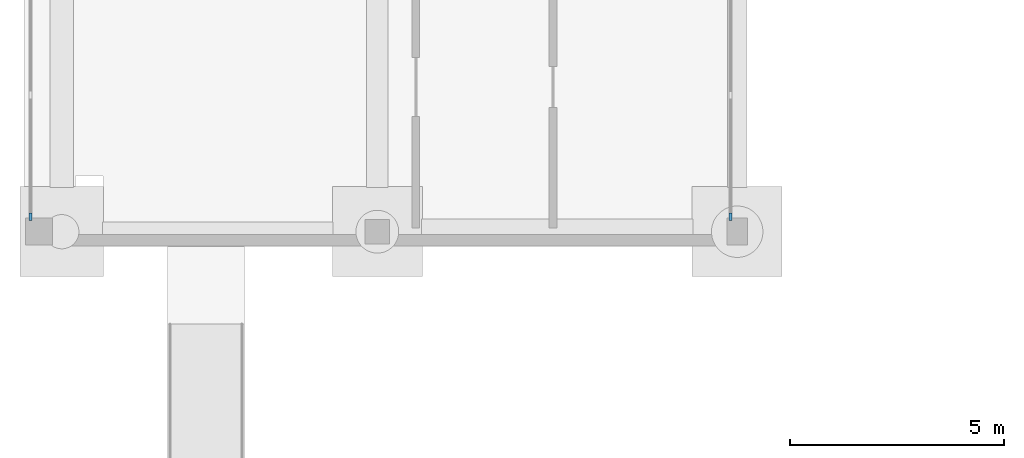
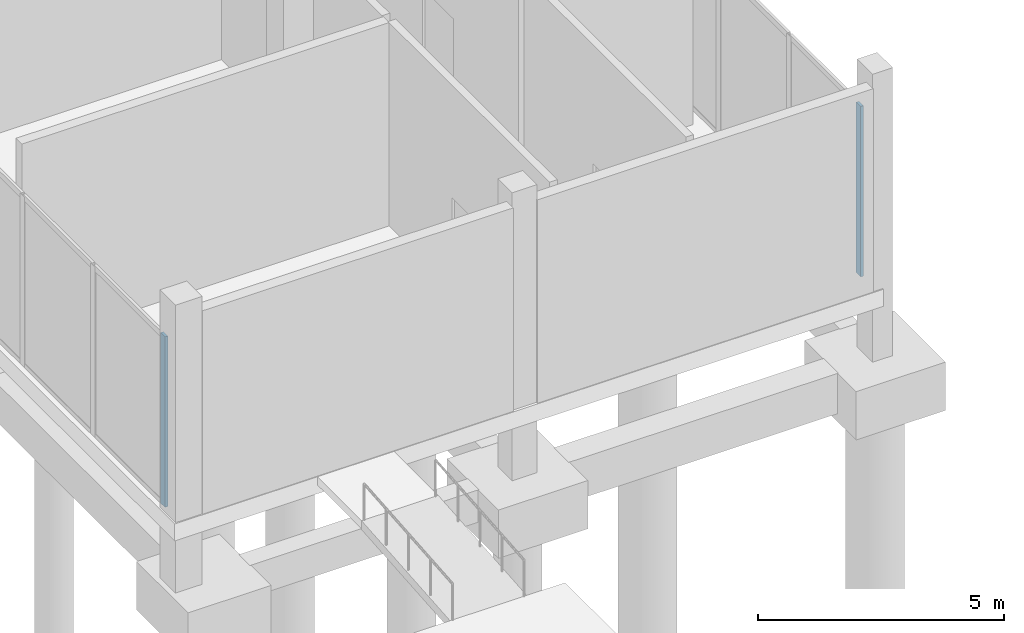
# One storey, part 22 of 88: 2 members, 2 elements without a shape of their own.
"""IFC4 building model written with IfcOpenShell, lengths in metres."""

from ifc_helpers import new_model, si_unit, direction, frame, origin, origin_2d, place, context, subcontext, project, spatial, rectangle, extrude, material, layer, layer_set, material_profile, profile_set, type_object, element, aggregate, save


model = new_model("IFC4")

# Units and contexts
model_context = context("Model", 3, precision=1e-05, world=origin(), true_north=direction((0.0, 1.0)))
body_context = subcontext(model_context, "Body", "Model", "MODEL_VIEW")
ifc_project = project(units=[si_unit("LENGTHUNIT", "METRE"), si_unit("AREAUNIT", "SQUARE_METRE"), si_unit("VOLUMEUNIT", "CUBIC_METRE"), si_unit("PLANEANGLEUNIT", "RADIAN"), si_unit("MASSUNIT", "GRAM", prefix="KILO")], contexts=[model_context])

# Site, building, storey
site_placement = place(None, origin())
site = spatial("IfcSite", under=ifc_project, at=site_placement, CompositionType="ELEMENT")
building_placement = place(site_placement, origin())
building = spatial("IfcBuilding", under=site, at=building_placement, Name="Birchvale Park Specialist Clinic", CompositionType="ELEMENT")
storey_placement = place(building_placement, origin())
storey = spatial("IfcBuildingStorey", under=building, at=storey_placement, Name="L00", CompositionType="ELEMENT", Elevation=0.0)

# Curtain wall, member
ifc_material = material(Name="Thermally broken anodised aluminium", Category="aluminium")
ifc_layer = layer(ifc_material, 0.195068359375)
ifc_layer_set = layer_set([ifc_layer], Name="Thermally broken anodised aluminium")
curtain_wall_type = type_object("IfcCurtainWallType", Name="CW-U2", PredefinedType="USERDEFINED", material=ifc_layer_set)
curtain_wall_1_placement = place(storey_placement, origin())
curtain_wall_1 = element("IfcCurtainWall", 1, at=curtain_wall_1_placement, inside=storey, type_object=curtain_wall_type, Name="V2 L00 glazed curtain wall 24", ObjectType="UNITISED", PredefinedType="USERDEFINED")
ifc_material_profile = material_profile(ifc_material, rectangle(XDim=0.06494140625, YDim=0.179931640625, at=origin_2d()), Name="CWM-65x180")
ifc_profile_set = profile_set([ifc_material_profile], Name="Thermally broken anodised aluminium")
member_type = type_object("IfcMemberType", Name="CWM2", PredefinedType="MULLION", material=ifc_profile_set)
member_1_placement = place(storey_placement, frame((19.445068359375, 64.297607421875, 0.0), z_axis=(0.0, 0.0, 1.0), x_axis=(-1.0, 0.0, 0.0)))
member_1 = element("IfcMember", 2, at=member_1_placement, type_object=member_type, Name="CW mullion 1", PredefinedType="MULLION", context=body_context, shape_type="SweptSolid", body=[
    extrude(rectangle(XDim=0.06494140625, YDim=0.179931640625, at=origin_2d()), origin(), (0.0, 0.0, 1.0), 4.235107421875),
])
aggregate(curtain_wall_1, [member_1])

curtain_wall_2_placement = place(storey_placement, origin())
curtain_wall_2 = element("IfcCurtainWall", 3, at=curtain_wall_2_placement, inside=storey, type_object=curtain_wall_type, Name="V2 L00 glazed curtain wall 32", ObjectType="UNITISED", PredefinedType="USERDEFINED")
member_2_placement = place(storey_placement, frame((3.10498046875, 64.297607421875, 0.0), z_axis=(0.0, 0.0, 1.0), x_axis=(1.0, 0.0, 0.0)))
member_2 = element("IfcMember", 4, at=member_2_placement, type_object=member_type, Name="CW mullion 4", PredefinedType="MULLION", context=body_context, shape_type="SweptSolid", body=[
    extrude(rectangle(XDim=0.06494140625, YDim=0.179931640625, at=origin_2d()), origin(), (0.0, 0.0, 1.0), 4.235107421875),
])
aggregate(curtain_wall_2, [member_2])

save(model, "model.ifc")
